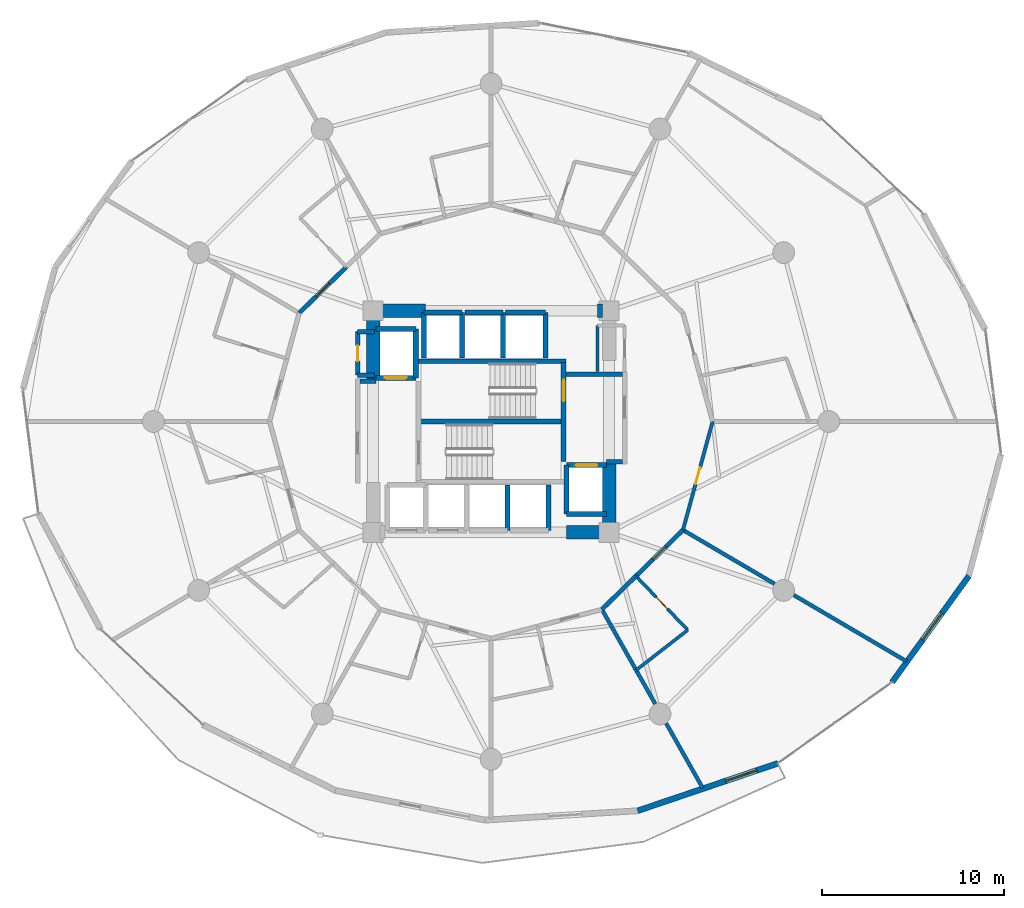
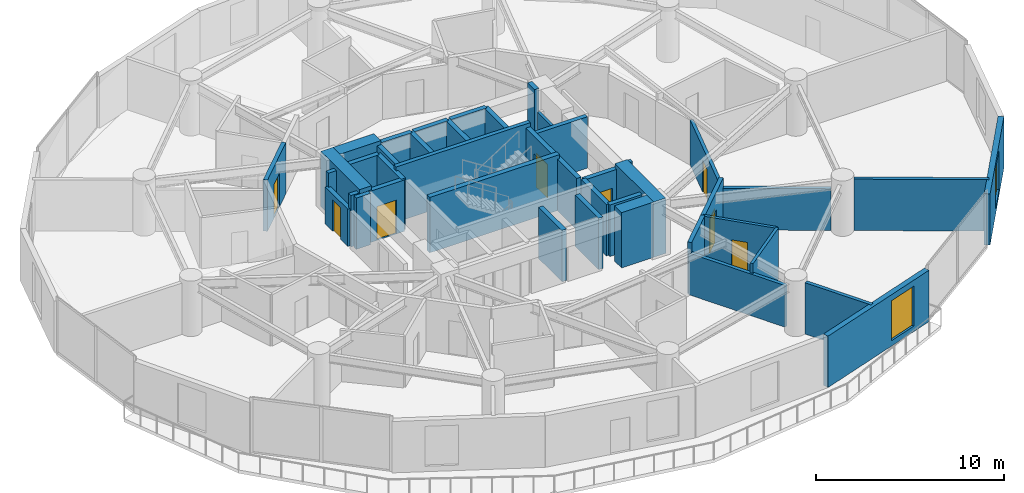
# One storey, part 21 of 26: 42 walls, 8 doors, 2 windows, 10 openings.
"""IFC4 building model written with IfcOpenShell, lengths in metres."""

from ifc_helpers import new_model, si_unit, direction, frame, frame_2d, origin, place, context, subcontext, project, spatial, rectangle, extrude, material, layer, layer_set, type_object, element, fill, save


model = new_model("IFC4")

# Units and contexts
model_context = context("Model", 3, precision=1e-05, world=origin(), true_north=direction((0.0, 1.0)))
body_context = subcontext(model_context, "Body", "Model", "MODEL_VIEW")
ifc_project = project(units=[si_unit("LENGTHUNIT", "METRE"), si_unit("AREAUNIT", "SQUARE_METRE"), si_unit("VOLUMEUNIT", "CUBIC_METRE"), si_unit("PLANEANGLEUNIT", "RADIAN"), si_unit("MASSUNIT", "GRAM", prefix="KILO")], contexts=[model_context])

# Site, building, storey
site_placement = place(None, origin())
site = spatial("IfcSite", under=ifc_project, at=site_placement, CompositionType="ELEMENT")
building_placement = place(site_placement, origin())
building = spatial("IfcBuilding", under=site, at=building_placement, Name="Solvirekh Grand Hotel", CompositionType="ELEMENT")
storey_placement = place(building_placement, frame((0.0, 0.0, 32.0)))
storey = spatial("IfcBuildingStorey", under=building, at=storey_placement, Name="L06", CompositionType="ELEMENT", Elevation=32.0)

# Walls
ifc_material_1 = material(Name="Concrete C50/60", Category="concrete")
ifc_layer_1 = layer(ifc_material_1, 0.35009765625)
ifc_layer_set_1 = layer_set([ifc_layer_1], Name="Concrete C50/60")
wall_type_1 = type_object("IfcWallType", Name="CoreDivWall_RC350", PredefinedType="SOLIDWALL", material=ifc_layer_set_1)
wall_1_placement = place(storey_placement, frame((-4.1298828125, 3.324951171875, 0.0), z_axis=(0.0, 0.0, 1.0), x_axis=(1.0, 0.0, 0.0)))
element("IfcWall", 1, at=wall_1_placement, inside=storey, type_object=wall_type_1, Name="L06 core stair box wall ST-N", PredefinedType="SOLIDWALL", context=body_context, shape_type="SweptSolid", body=[
    extrude(rectangle(XDim=8.259765625, YDim=0.25, at=frame_2d((4.1298828125, 0.0))), origin(), (0.0, 0.0, 1.0), 3.60009765625),
])
ifc_material_2 = material(Name="Concrete C40/50", Category="concrete")
ifc_layer_2 = layer(ifc_material_2, 0.280029296875)
ifc_layer_set_2 = layer_set([ifc_layer_2], Name="Concrete C40/50")
wall_type_2 = type_object("IfcWallType", Name="CoreShaftWall_RC280", PredefinedType="SOLIDWALL", material=ifc_layer_set_2)
for number, where, z_axis, x_axis, name in (
    (2, (0.89990234375, -6.0, 0.0), (0.0, 0.0, 1.0), (0.0, 1.0, 0.0), "L06 MP-1 hoistway E wall"),
    (3, (3.14990234375, -6.0, 0.0), (0.0, 0.0, 1.0), (0.0, 1.0, 0.0), "L06 MP-2 hoistway E wall"),
):
    element("IfcWall", number, at=place(storey_placement, frame(where, z_axis=z_axis, x_axis=x_axis)), inside=storey, type_object=wall_type_2, Name=name, PredefinedType="SOLIDWALL", context=body_context, shape_type="SweptSolid", body=[
        extrude(rectangle(XDim=2.5, YDim=0.280029296875, at=frame_2d((1.25, 0.0))), origin(), (0.0, 0.0, 1.0), 3.340087890625),
    ])
wall_2_placement = place(storey_placement, frame((-1.60009765625, 6.0, 0.0), z_axis=(0.0, 0.0, 1.0), x_axis=(-1.0, 0.0, 0.0)))
element("IfcWall", 4, at=wall_2_placement, inside=storey, type_object=wall_type_2, Name="L06 HP-1 hoistway N wall", PredefinedType="SOLIDWALL", context=body_context, shape_type="SweptSolid", body=[
    extrude(rectangle(XDim=2.099853515625, YDim=0.280029296875, at=frame_2d((1.0498046875, 0.0))), origin(), (0.0, 0.0, 1.0), 3.340087890625),
])
for number, where, z_axis, x_axis, name in (
    (5, (-3.699951171875, 6.0, 0.0), (0.0, 0.0, 1.0), (0.0, -1.0, 0.0), "L06 HP-1 hoistway W wall"),
    (6, (-1.60009765625, 3.5, 0.0), (0.0, 0.0, 1.0), (0.0, 1.0, 0.0), "L06 HP-1 hoistway E wall"),
):
    element("IfcWall", number, at=place(storey_placement, frame(where, z_axis=z_axis, x_axis=x_axis)), inside=storey, type_object=wall_type_2, Name=name, PredefinedType="SOLIDWALL", context=body_context, shape_type="SweptSolid", body=[
        extrude(rectangle(XDim=2.5, YDim=0.280029296875, at=frame_2d((1.25, 0.0))), origin(), (0.0, 0.0, 1.0), 3.340087890625),
    ])
wall_3_placement = place(storey_placement, frame((0.64990234375, 6.0, 0.0), z_axis=(0.0, 0.0, 1.0), x_axis=(-1.0, 0.0, 0.0)))
element("IfcWall", 7, at=wall_3_placement, inside=storey, type_object=wall_type_2, Name="L06 HP-2 hoistway N wall", PredefinedType="SOLIDWALL", context=body_context, shape_type="SweptSolid", body=[
    extrude(rectangle(XDim=2.099853515625, YDim=0.280029296875, at=frame_2d((1.0498046875, 0.0))), origin(), (0.0, 0.0, 1.0), 3.340087890625),
])
wall_4_placement = place(storey_placement, frame((0.64990234375, 3.5, 0.0), z_axis=(0.0, 0.0, 1.0), x_axis=(0.0, 1.0, 0.0)))
element("IfcWall", 8, at=wall_4_placement, inside=storey, type_object=wall_type_2, Name="L06 HP-2 hoistway E wall", PredefinedType="SOLIDWALL", context=body_context, shape_type="SweptSolid", body=[
    extrude(rectangle(XDim=2.5, YDim=0.280029296875, at=frame_2d((1.25, 0.0))), origin(), (0.0, 0.0, 1.0), 3.340087890625),
])
wall_5_placement = place(storey_placement, frame((3.0, 6.0, 0.0), z_axis=(0.0, 0.0, 1.0), x_axis=(-1.0, 0.0, 0.0)))
element("IfcWall", 9, at=wall_5_placement, inside=storey, type_object=wall_type_2, Name="L06 EX-1 hoistway N wall", PredefinedType="SOLIDWALL", context=body_context, shape_type="SweptSolid", body=[
    extrude(rectangle(XDim=2.199951171875, YDim=0.280029296875, at=frame_2d((1.10009765625, 0.0))), origin(), (0.0, 0.0, 1.0), 3.340087890625),
])
wall_6_placement = place(storey_placement, frame((3.0, 3.5, 0.0), z_axis=(0.0, 0.0, 1.0), x_axis=(0.0, 1.0, 0.0)))
element("IfcWall", 10, at=wall_6_placement, inside=storey, type_object=wall_type_2, Name="L06 EX-1 hoistway E wall", PredefinedType="SOLIDWALL", context=body_context, shape_type="SweptSolid", body=[
    extrude(rectangle(XDim=2.5, YDim=0.280029296875, at=frame_2d((1.25, 0.0))), origin(), (0.0, 0.0, 1.0), 3.340087890625),
])

# Wall, opening, door
wall_7_placement = place(storey_placement, frame((-6.35009765625, 2.39990234375, 0.0), z_axis=(0.0, 0.0, 1.0), x_axis=(1.0, 0.0, 0.0)))
wall_7 = element("IfcWall", 11, at=wall_7_placement, inside=storey, type_object=wall_type_2, Name="L06 FL-1 hoistway S wall", PredefinedType="SOLIDWALL", context=body_context, shape_type="SweptSolid", body=[
    extrude(rectangle(XDim=2.2001953125, YDim=0.280029296875, at=frame_2d((1.10009765625, 0.0))), origin(), (0.0, 0.0, 1.0), 3.340087890625),
])
opening_1_placement = place(wall_7_placement, frame((0.5, 0.0, 0.0)))
opening_1 = element("IfcOpeningElement", 12, at=opening_1_placement, cuts=wall_7, Name="Opening LD02", PredefinedType="OPENING", context=body_context, shape_type="SweptSolid", body=[
    extrude(rectangle(XDim=1.199951171875, YDim=2.199951171875, at=frame_2d((0.60009765625, 1.10009765625))), frame((0.0, 0.14990234375, 0.0), z_axis=(0.0, -1.0, 0.0), x_axis=(1.0, 0.0, 0.0)), (0.0, 0.0, 1.0), 0.300048828125),
])
ifc_material_3 = material(Name="Fire-Rated Steel Door Assembly", Category="steel")
door_type_1 = type_object("IfcDoorType", Name="Door_LiftFF_1200X2200", OperationType="SLIDING_TO_LEFT", PredefinedType="DOOR", material=ifc_material_3)
door_1_placement = place(opening_1_placement, origin())
door_1 = element("IfcDoor", 13, at=door_1_placement, inside=storey, type_object=door_type_1, Name="L06 FL-1 sliding lift landing door", OperationType="SLIDING_TO_LEFT", OverallHeight=2.199951171875, OverallWidth=1.199951171875, PredefinedType="DOOR", context=body_context, shape_type="SweptSolid", body=[
    extrude(rectangle(XDim=1.199951171875, YDim=2.199951171875, at=frame_2d((0.60009765625, 1.10009765625))), frame((0.0, 0.02490234375, 0.0), z_axis=(0.0, -1.0, 0.0), x_axis=(1.0, 0.0, 0.0)), (0.0, 0.0, 1.0), 0.050048828125),
])
fill(opening_1, door_1)

# Walls
wall_8_placement = place(storey_placement, frame((-4.14990234375, 5.10009765625, 0.0), z_axis=(0.0, 0.0, 1.0), x_axis=(-1.0, 0.0, 0.0)))
element("IfcWall", 14, at=wall_8_placement, inside=storey, type_object=wall_type_2, Name="L06 FL-1 hoistway N wall", PredefinedType="SOLIDWALL", context=body_context, shape_type="SweptSolid", body=[
    extrude(rectangle(XDim=2.2001953125, YDim=0.280029296875, at=frame_2d((1.10009765625, 0.0))), origin(), (0.0, 0.0, 1.0), 3.340087890625),
])
wall_9_placement = place(storey_placement, frame((-4.14990234375, 2.39990234375, 0.0), z_axis=(0.0, 0.0, 1.0), x_axis=(0.0, 1.0, 0.0)))
element("IfcWall", 15, at=wall_9_placement, inside=storey, type_object=wall_type_2, Name="L06 FL-1 hoistway E wall", PredefinedType="SOLIDWALL", context=body_context, shape_type="SweptSolid", body=[
    extrude(rectangle(XDim=2.7001953125, YDim=0.280029296875, at=frame_2d((1.35009765625, 0.0))), origin(), (0.0, 0.0, 1.0), 3.340087890625),
])
wall_10_placement = place(storey_placement, frame((4.14990234375, -5.10009765625, 0.0), z_axis=(0.0, 0.0, 1.0), x_axis=(1.0, 0.0, 0.0)))
element("IfcWall", 16, at=wall_10_placement, inside=storey, type_object=wall_type_2, Name="L06 FL-2 hoistway S wall", PredefinedType="SOLIDWALL", context=body_context, shape_type="SweptSolid", body=[
    extrude(rectangle(XDim=2.2001953125, YDim=0.280029296875, at=frame_2d((1.10009765625, 0.0))), origin(), (0.0, 0.0, 1.0), 3.340087890625),
])

# Wall, opening, door
wall_11_placement = place(storey_placement, frame((6.35009765625, -2.39990234375, 0.0), z_axis=(0.0, 0.0, 1.0), x_axis=(-1.0, 0.0, 0.0)))
wall_11 = element("IfcWall", 17, at=wall_11_placement, inside=storey, type_object=wall_type_2, Name="L06 FL-2 hoistway N wall", PredefinedType="SOLIDWALL", context=body_context, shape_type="SweptSolid", body=[
    extrude(rectangle(XDim=2.2001953125, YDim=0.280029296875, at=frame_2d((1.10009765625, 0.0))), origin(), (0.0, 0.0, 1.0), 3.340087890625),
])
opening_2_placement = place(wall_11_placement, frame((0.5, 0.0, 0.0)))
opening_2 = element("IfcOpeningElement", 18, at=opening_2_placement, cuts=wall_11, Name="Opening LD02", PredefinedType="OPENING", context=body_context, shape_type="SweptSolid", body=[
    extrude(rectangle(XDim=1.199951171875, YDim=2.199951171875, at=frame_2d((0.60009765625, 1.10009765625))), frame((0.0, 0.14990234375, 0.0), z_axis=(0.0, -1.0, 0.0), x_axis=(1.0, 0.0, 0.0)), (0.0, 0.0, 1.0), 0.300048828125),
])
door_2_placement = place(opening_2_placement, origin())
door_2 = element("IfcDoor", 19, at=door_2_placement, inside=storey, type_object=door_type_1, Name="L06 FL-2 sliding lift landing door", OperationType="SLIDING_TO_LEFT", OverallHeight=2.199951171875, OverallWidth=1.199951171875, PredefinedType="DOOR", context=body_context, shape_type="SweptSolid", body=[
    extrude(rectangle(XDim=1.199951171875, YDim=2.199951171875, at=frame_2d((0.60009765625, 1.10009765625))), frame((0.0, 0.02490234375, 0.0), z_axis=(0.0, -1.0, 0.0), x_axis=(1.0, 0.0, 0.0)), (0.0, 0.0, 1.0), 0.050048828125),
])
fill(opening_2, door_2)

# Wall
wall_12_placement = place(storey_placement, frame((4.14990234375, -2.39990234375, 0.0), z_axis=(0.0, 0.0, 1.0), x_axis=(0.0, -1.0, 0.0)))
element("IfcWall", 20, at=wall_12_placement, inside=storey, type_object=wall_type_2, Name="L06 FL-2 hoistway W wall", PredefinedType="SOLIDWALL", context=body_context, shape_type="SweptSolid", body=[
    extrude(rectangle(XDim=2.7001953125, YDim=0.280029296875, at=frame_2d((1.35009765625, 0.0))), origin(), (0.0, 0.0, 1.0), 3.340087890625),
])

# Wall, opening, door
wall_13_placement = place(storey_placement, frame((3.989990234375, -2.2099609375, 0.0), z_axis=(0.0, 0.0, 1.0), x_axis=(0.0, 1.0, 0.0)))
wall_13 = element("IfcWall", 21, at=wall_13_placement, inside=storey, type_object=wall_type_2, Name="L06 east stair landing enclosure wall", PredefinedType="SOLIDWALL", context=body_context, shape_type="SweptSolid", body=[
    extrude(rectangle(XDim=5.4599609375, YDim=0.280029296875, at=frame_2d((2.72998046875, 0.0))), origin(), (0.0, 0.0, 1.0), 3.340087890625),
])
opening_3_placement = place(wall_13_placement, frame((3.322998046875, 0.0, 0.0)))
opening_3 = element("IfcOpeningElement", 22, at=opening_3_placement, cuts=wall_13, Name="Opening D05", PredefinedType="OPENING", context=body_context, shape_type="SweptSolid", body=[
    extrude(rectangle(XDim=1.199951171875, YDim=2.199951171875, at=frame_2d((0.60009765625, 1.10009765625))), frame((0.0, 0.14990234375, 0.0), z_axis=(0.0, -1.0, 0.0), x_axis=(1.0, 0.0, 0.0)), (0.0, 0.0, 1.0), 0.300048828125),
])
door_type_2 = type_object("IfcDoorType", Name="Door_StairCore_1200X2200", OperationType="NOTDEFINED", PredefinedType="DOOR", material=ifc_material_3)
door_3_placement = place(opening_3_placement, origin())
door_3 = element("IfcDoor", 23, at=door_3_placement, inside=storey, type_object=door_type_2, Name="L06 exit stair ST-2 fire door", OperationType="SINGLE_SWING_RIGHT", OverallHeight=2.199951171875, OverallWidth=1.199951171875, PredefinedType="DOOR", context=body_context, shape_type="SweptSolid", body=[
    extrude(rectangle(XDim=1.199951171875, YDim=2.199951171875, at=frame_2d((0.60009765625, 1.10009765625))), frame((0.0, 0.02490234375, 0.0), z_axis=(0.0, -1.0, 0.0), x_axis=(1.0, 0.0, 0.0)), (0.0, 0.0, 1.0), 0.050048828125),
])
fill(opening_3, door_3)

# Walls
ifc_material_4 = material(Name="Concrete C60/75", Category="concrete")
ifc_layer_3 = layer(ifc_material_4, 0.75)
ifc_layer_set_3 = layer_set([ifc_layer_3], Name="Concrete C60/75")
wall_type_3 = type_object("IfcWallType", Name="CoreWall_RC750", PredefinedType="SHEAR", material=ifc_layer_set_3)
wall_14_placement = place(storey_placement, frame((-3.989990234375, 0.0, 0.0), z_axis=(0.0, 0.0, 1.0), x_axis=(1.0, 0.0, 0.0)))
element("IfcWall", 24, at=wall_14_placement, inside=storey, type_object=wall_type_3, Name="L06 central stair-spine shear wall", PredefinedType="SHEAR", context=body_context, shape_type="SweptSolid", body=[
    extrude(rectangle(XDim=7.97998046875, YDim=0.300048828125, at=frame_2d((3.989990234375, 0.0))), origin(), (0.0, 0.0, 1.0), 3.60009765625),
])
wall_15_placement = place(storey_placement, frame((4.14990234375, -6.10009765625, 0.0), z_axis=(0.0, 0.0, 1.0), x_axis=(1.0, 0.0, 0.0)))
element("IfcWall", 25, at=wall_15_placement, inside=storey, type_object=wall_type_3, Name="L06 core corner shear wall SE-S", PredefinedType="SHEAR", context=body_context, shape_type="SweptSolid", body=[
    extrude(rectangle(XDim=1.97509765625, YDim=0.75, at=frame_2d((0.987548828125, 0.0))), origin(), (0.0, 0.0, 1.0), 3.60009765625),
])
wall_16_placement = place(storey_placement, frame((-6.125, 6.10009765625, 0.0), z_axis=(0.0, 0.0, 1.0), x_axis=(1.0, 0.0, 0.0)))
element("IfcWall", 26, at=wall_16_placement, inside=storey, type_object=wall_type_3, Name="L06 core corner shear wall NW-N", PredefinedType="SHEAR", context=body_context, shape_type="SweptSolid", body=[
    extrude(rectangle(XDim=2.52490234375, YDim=0.75, at=frame_2d((1.262451171875, 0.0))), origin(), (0.0, 0.0, 1.0), 3.60009765625),
])
wall_17_placement = place(storey_placement, frame((5.85009765625, 6.10009765625, 0.0), z_axis=(0.0, 0.0, 1.0), x_axis=(1.0, 0.0, 0.0)))
element("IfcWall", 27, at=wall_17_placement, inside=storey, type_object=wall_type_3, Name="L06 core corner shear wall NE-N", PredefinedType="SHEAR", context=body_context, shape_type="SweptSolid", body=[
    extrude(rectangle(XDim=0.27490234375, YDim=0.75, at=frame_2d((0.137451171875, 0.0))), origin(), (0.0, 0.0, 1.0), 3.60009765625),
])
for number, where, z_axis, x_axis, name in (
    (28, (-6.5, 2.35009765625, 0.0), (0.0, 0.0, 1.0), (0.0, 1.0, 0.0), "L06 core corner shear wall WN-W"),
    (29, (6.5, -6.47509765625, 0.0), (0.0, 0.0, 1.0), (0.0, 1.0, 0.0), "L06 core corner shear wall ES-E"),
):
    element("IfcWall", number, at=place(storey_placement, frame(where, z_axis=z_axis, x_axis=x_axis)), inside=storey, type_object=wall_type_3, Name=name, PredefinedType="SHEAR", context=body_context, shape_type="SweptSolid", body=[
        extrude(rectangle(XDim=4.125, YDim=0.75, at=frame_2d((2.0625, 0.0))), origin(), (0.0, 0.0, 1.0), 3.60009765625),
    ])

# Wall, opening, window
ifc_material_5 = material(Name="Precast concrete C45/55", Category="concrete")
ifc_layer_4 = layer(ifc_material_5, 0.320068359375)
ifc_layer_set_4 = layer_set([ifc_layer_4], Name="Precast concrete C45/55")
wall_type_4 = type_object("IfcWallType", Name="ExtLobbyWall_RC320", PredefinedType="SOLIDWALL", material=ifc_layer_set_4)
wall_18_placement = place(storey_placement, frame((15.79296875, -18.821044921875, 0.0), z_axis=(0.0, 0.0, 1.0), x_axis=(-0.94717495877, -0.320717317085, 0.0)))
wall_18 = element("IfcWall", 30, at=wall_18_placement, inside=storey, type_object=wall_type_4, Name="L06 exterior structural wall chord 17", PredefinedType="SOLIDWALL", context=body_context, shape_type="SweptSolid", body=[
    extrude(rectangle(XDim=8.150634765625, YDim=0.320068359375, at=frame_2d((4.0751953125, 0.0))), origin(), (0.0, 0.0, 1.0), 3.340087890625),
])
opening_4_placement = place(wall_18_placement, frame((1.22900390625, 0.0, 0.35009765625)))
opening_4 = element("IfcOpeningElement", 31, at=opening_4_placement, cuts=wall_18, Name="Opening W02", PredefinedType="OPENING", context=body_context, shape_type="SweptSolid", body=[
    extrude(rectangle(XDim=1.800048828125, YDim=2.60009765625, at=frame_2d((0.89990234375, 1.300048828125))), frame((0.0, 0.169921875, 0.0), z_axis=(0.0, -1.0, 0.0), x_axis=(1.0, 0.0, 0.0)), (0.0, 0.0, 1.0), 0.340087890625),
])
ifc_material_6 = material(Name="Low-E Tinted Bronze Laminated Glass", Category="aluminium")
window_type = type_object("IfcWindowType", Name="Win_LobbyExt_1800X2600", PartitioningType="SINGLE_PANEL", PredefinedType="WINDOW", material=ifc_material_6)
window_1_placement = place(opening_4_placement, origin())
window_1 = element("IfcWindow", 32, at=window_1_placement, inside=storey, type_object=window_type, Name="L06 panoramic bronze-framed window 17", OverallHeight=2.60009765625, OverallWidth=1.800048828125, PartitioningType="SINGLE_PANEL", PredefinedType="WINDOW", context=body_context, shape_type="SweptSolid", body=[
    extrude(rectangle(XDim=1.800048828125, YDim=2.60009765625, at=frame_2d((0.89990234375, 1.300048828125))), frame((0.0, 0.030029296875, 0.0), z_axis=(0.0, -1.0, 0.0), x_axis=(1.0, 0.0, 0.0)), (0.0, 0.0, 1.0), 0.06005859375),
])
fill(opening_4, window_1)

wall_19_placement = place(storey_placement, frame((26.31591796875, -8.5029296875, 0.0), z_axis=(0.0, 0.0, 1.0), x_axis=(-0.585883584877, -0.810395227634, 0.0)))
wall_19 = element("IfcWall", 33, at=wall_19_placement, inside=storey, type_object=wall_type_4, Name="L06 exterior structural wall chord 19", PredefinedType="SOLIDWALL", context=body_context, shape_type="SweptSolid", body=[
    extrude(rectangle(XDim=7.233642578125, YDim=0.320068359375, at=frame_2d((3.61669921875, 0.0))), origin(), (0.0, 0.0, 1.0), 3.340087890625),
])
opening_5_placement = place(wall_19_placement, frame((2.544921875, 0.0, 0.35009765625)))
opening_5 = element("IfcOpeningElement", 34, at=opening_5_placement, cuts=wall_19, Name="Opening W02", PredefinedType="OPENING", context=body_context, shape_type="SweptSolid", body=[
    extrude(rectangle(XDim=1.800048828125, YDim=2.60009765625, at=frame_2d((0.89990234375, 1.300048828125))), frame((0.0, 0.169921875, 0.0), z_axis=(0.0, -1.0, 0.0), x_axis=(1.0, 0.0, 0.0)), (0.0, 0.0, 1.0), 0.340087890625),
])
window_2_placement = place(opening_5_placement, origin())
window_2 = element("IfcWindow", 35, at=window_2_placement, inside=storey, type_object=window_type, Name="L06 panoramic bronze-framed window 19", OverallHeight=2.60009765625, OverallWidth=1.800048828125, PartitioningType="SINGLE_PANEL", PredefinedType="WINDOW", context=body_context, shape_type="SweptSolid", body=[
    extrude(rectangle(XDim=1.800048828125, YDim=2.60009765625, at=frame_2d((0.89990234375, 1.300048828125))), frame((0.0, 0.030029296875, 0.0), z_axis=(0.0, -1.0, 0.0), x_axis=(1.0, 0.0, 0.0)), (0.0, 0.0, 1.0), 0.06005859375),
])
fill(opening_5, window_2)

# Wall
ifc_material_7 = material(Name="Acoustic Gypsum Partition Assembly")
ifc_layer_5 = layer(ifc_material_7, 0.1650390625)
ifc_layer_set_5 = layer_set([ifc_layer_5], Name="Acoustic Gypsum Partition Assembly")
wall_type_5 = type_object("IfcWallType", Name="Part_BOH_165", PredefinedType="PARTITIONING", material=ifc_layer_set_5)
wall_20_placement = place(storey_placement, frame((5.85009765625, 5.300048828125, 0.0), z_axis=(0.0, 0.0, 1.0), x_axis=(0.0, -1.0, 0.0)))
element("IfcWall", 36, at=wall_20_placement, inside=storey, type_object=wall_type_5, Name="L06 L06 Core Housekeeping & Linen Room wall 4", PredefinedType="PARTITIONING", context=body_context, shape_type="SweptSolid", body=[
    extrude(rectangle(XDim=2.550048828125, YDim=0.1650390625, at=frame_2d((1.27490234375, 0.0))), origin(), (0.0, 0.0, 1.0), 2.425048828125),
])

# Wall, opening, door
ifc_layer_6 = layer(ifc_material_7, 0.239990234375)
ifc_layer_set_6 = layer_set([ifc_layer_6], Name="Acoustic Gypsum Partition Assembly")
wall_type_6 = type_object("IfcWallType", Name="Part_Corridor_240", PredefinedType="PARTITIONING", material=ifc_layer_set_6)
wall_21_placement = place(storey_placement, frame((-7.97607421875, 8.511962890625, 0.0), z_axis=(0.0, 0.0, 1.0), x_axis=(-0.714375756875, -0.699762301064, 0.0)))
wall_21 = element("IfcWall", 37, at=wall_21_placement, inside=storey, type_object=wall_type_6, Name="L06 Deluxe Guestroom 0804 entrance wall", PredefinedType="PARTITIONING", context=body_context, shape_type="SweptSolid", body=[
    extrude(rectangle(XDim=3.625244140625, YDim=0.239990234375, at=frame_2d((1.8125, 0.0))), origin(), (0.0, 0.0, 1.0), 3.340087890625),
])
opening_6_placement = place(wall_21_placement, frame((1.31298828125, 0.0, 0.0)))
opening_6 = element("IfcOpeningElement", 38, at=opening_6_placement, cuts=wall_21, Name="Opening D07", PredefinedType="OPENING", context=body_context, shape_type="SweptSolid", body=[
    extrude(rectangle(XDim=1.0, YDim=2.199951171875, at=frame_2d((0.5, 1.10009765625))), frame((0.0, 0.1298828125, 0.0), z_axis=(0.0, -1.0, 0.0), x_axis=(1.0, 0.0, 0.0)), (0.0, 0.0, 1.0), 0.260009765625),
])
door_type_3 = type_object("IfcDoorType", Name="Door_GuestEntry_1000X2200", OperationType="NOTDEFINED", PredefinedType="DOOR", material=ifc_material_3)
door_4_placement = place(opening_6_placement, origin())
door_4 = element("IfcDoor", 39, at=door_4_placement, inside=storey, type_object=door_type_3, Name="L06 Deluxe Guestroom 0804 entrance door", OperationType="SINGLE_SWING_RIGHT", OverallHeight=2.199951171875, OverallWidth=1.0, PredefinedType="DOOR", context=body_context, shape_type="SweptSolid", body=[
    extrude(rectangle(XDim=1.0, YDim=2.199951171875, at=frame_2d((0.5, 1.10009765625))), frame((0.0, 0.02490234375, 0.0), z_axis=(0.0, -1.0, 0.0), x_axis=(1.0, 0.0, 0.0)), (0.0, 0.0, 1.0), 0.050048828125),
])
fill(opening_6, door_4)

# Wall
wall_22_placement = place(storey_placement, frame((6.10009765625, -10.34912109375, 0.0), z_axis=(0.0, 0.0, 1.0), x_axis=(0.714460071513, 0.69967621527, 0.0)))
element("IfcWall", 40, at=wall_22_placement, inside=storey, type_object=wall_type_6, Name="L06 En-suite Bathroom 0810 corridor backing wall", PredefinedType="PARTITIONING", context=body_context, shape_type="SweptSolid", body=[
    extrude(rectangle(XDim=2.625732421875, YDim=0.239990234375, at=frame_2d((1.31298828125, 0.0))), origin(), (0.0, 0.0, 1.0), 3.340087890625),
])

# Wall, opening, door
wall_23_placement = place(storey_placement, frame((7.97607421875, -8.511962890625, 0.0), z_axis=(0.0, 0.0, 1.0), x_axis=(0.714375756875, 0.699762301064, 0.0)))
wall_23 = element("IfcWall", 41, at=wall_23_placement, inside=storey, type_object=wall_type_6, Name="L06 Deluxe Guestroom 0810 entrance wall", PredefinedType="PARTITIONING", context=body_context, shape_type="SweptSolid", body=[
    extrude(rectangle(XDim=3.625244140625, YDim=0.239990234375, at=frame_2d((1.8125, 0.0))), origin(), (0.0, 0.0, 1.0), 3.340087890625),
])
opening_7_placement = place(wall_23_placement, frame((1.31298828125, 0.0, 0.0)))
opening_7 = element("IfcOpeningElement", 42, at=opening_7_placement, cuts=wall_23, Name="Opening D07", PredefinedType="OPENING", context=body_context, shape_type="SweptSolid", body=[
    extrude(rectangle(XDim=1.0, YDim=2.199951171875, at=frame_2d((0.5, 1.10009765625))), frame((0.0, 0.1298828125, 0.0), z_axis=(0.0, -1.0, 0.0), x_axis=(1.0, 0.0, 0.0)), (0.0, 0.0, 1.0), 0.260009765625),
])
door_5_placement = place(opening_7_placement, origin())
door_5 = element("IfcDoor", 43, at=door_5_placement, inside=storey, type_object=door_type_3, Name="L06 Deluxe Guestroom 0810 entrance door", OperationType="SINGLE_SWING_RIGHT", OverallHeight=2.199951171875, OverallWidth=1.0, PredefinedType="DOOR", context=body_context, shape_type="SweptSolid", body=[
    extrude(rectangle(XDim=1.0, YDim=2.199951171875, at=frame_2d((0.5, 1.10009765625))), frame((0.0, 0.02490234375, 0.0), z_axis=(0.0, -1.0, 0.0), x_axis=(1.0, 0.0, 0.0)), (0.0, 0.0, 1.0), 0.050048828125),
])
fill(opening_7, door_5)

ifc_layer_7 = layer(ifc_material_7, 0.18994140625)
ifc_layer_set_7 = layer_set([ifc_layer_7], Name="Acoustic Gypsum Partition Assembly")
wall_type_7 = type_object("IfcWallType", Name="Part_GuestDemise_190", PredefinedType="PARTITIONING", material=ifc_layer_set_7)
wall_24_placement = place(storey_placement, frame((10.56591796875, -5.97509765625, 0.0), z_axis=(0.0, 0.0, 1.0), x_axis=(0.263787657435, 0.964580775148, 0.0)))
wall_24 = element("IfcWall", 44, at=wall_24_placement, inside=storey, type_object=wall_type_7, Name="L06 L06 Club Reading Lounge entrance wall", PredefinedType="PARTITIONING", context=body_context, shape_type="SweptSolid", body=[
    extrude(rectangle(XDim=6.194580078125, YDim=0.18994140625, at=frame_2d((3.09716796875, 0.0))), origin(), (0.0, 0.0, 1.0), 2.9189453125),
])
opening_8_placement = place(wall_24_placement, frame((2.6220703125, 0.0, 0.0)))
opening_8 = element("IfcOpeningElement", 45, at=opening_8_placement, cuts=wall_24, Name="Opening D10", PredefinedType="OPENING", context=body_context, shape_type="SweptSolid", body=[
    extrude(rectangle(XDim=0.949951171875, YDim=2.10009765625, at=frame_2d((0.47509765625, 1.050048828125))), frame((0.0, 0.10498046875, 0.0), z_axis=(0.0, -1.0, 0.0), x_axis=(1.0, 0.0, 0.0)), (0.0, 0.0, 1.0), 0.2099609375),
])
ifc_material_8 = material(Name="Anodized Bronze Aluminium 6063-T6", Category="aluminium")
door_type_4 = type_object("IfcDoorType", Name="Door_RoomInt_950X2100", OperationType="NOTDEFINED", PredefinedType="DOOR", material=ifc_material_8)
door_6_placement = place(opening_8_placement, origin())
door_6 = element("IfcDoor", 46, at=door_6_placement, inside=storey, type_object=door_type_4, Name="L06 L06 Club Reading Lounge entrance door", OperationType="SINGLE_SWING_LEFT", OverallHeight=2.10009765625, OverallWidth=0.949951171875, PredefinedType="DOOR", context=body_context, shape_type="SweptSolid", body=[
    extrude(rectangle(XDim=0.949951171875, YDim=2.10009765625, at=frame_2d((0.47509765625, 1.050048828125))), frame((0.0, 0.02490234375, 0.0), z_axis=(0.0, -1.0, 0.0), x_axis=(1.0, 0.0, 0.0)), (0.0, 0.0, 1.0), 0.050048828125),
])
fill(opening_8, door_6)

# Walls
ifc_layer_8 = layer(ifc_material_7, 0.260009765625)
ifc_layer_set_8 = layer_set([ifc_layer_8], Name="Acoustic Gypsum Partition Assembly")
wall_type_8 = type_object("IfcWallType", Name="Part_LobbyFF_260", PredefinedType="PARTITIONING", material=ifc_layer_set_8)
for number, where, z_axis, x_axis, name in (
    (47, (-7.22509765625, 2.2099609375, 0.0), (0.0, 0.0, 1.0), (1.0, 0.0, 0.0), "L06 west firefighting lobby NW cheek"),
    (48, (6.35009765625, -2.2099609375, 0.0), (0.0, 0.0, 1.0), (1.0, 0.0, 0.0), "L06 east firefighting lobby SE cheek"),
):
    element("IfcWall", number, at=place(storey_placement, frame(where, z_axis=z_axis, x_axis=x_axis)), inside=storey, type_object=wall_type_8, Name=name, PredefinedType="PARTITIONING", context=body_context, shape_type="SweptSolid", body=[
        extrude(rectangle(XDim=0.875, YDim=0.260009765625, at=frame_2d((0.4375, 0.0))), origin(), (0.0, 0.0, 1.0), 3.340087890625),
    ])
wall_25_placement = place(storey_placement, frame((4.1298828125, 2.60009765625, 0.0), z_axis=(0.0, 0.0, 1.0), x_axis=(1.0, 0.0, 0.0)))
element("IfcWall", 49, at=wall_25_placement, inside=storey, type_object=wall_type_8, Name="L06 east firefighting lobby north partition", PredefinedType="PARTITIONING", context=body_context, shape_type="SweptSolid", body=[
    extrude(rectangle(XDim=3.09521484375, YDim=0.260009765625, at=frame_2d((1.547607421875, 0.0))), origin(), (0.0, 0.0, 1.0), 3.340087890625),
])
for number, where, z_axis, x_axis, name in (
    (50, (-7.35009765625, 4.949951171875, 0.0), (0.0, 0.0, 1.0), (1.0, 0.0, 0.0), "L06 NW telecom metering cupboard north wall"),
    (51, (-7.35009765625, 2.550048828125, 0.0), (0.0, 0.0, 1.0), (1.0, 0.0, 0.0), "L06 NW telecom metering cupboard south wall"),
):
    element("IfcWall", number, at=place(storey_placement, frame(where, z_axis=z_axis, x_axis=x_axis)), inside=storey, type_object=wall_type_8, Name=name, PredefinedType="PARTITIONING", context=body_context, shape_type="SweptSolid", body=[
        extrude(rectangle(XDim=0.93017578125, YDim=0.260009765625, at=frame_2d((0.465087890625, 0.0))), origin(), (0.0, 0.0, 1.0), 3.340087890625),
    ])

# Wall, opening, door
wall_26_placement = place(storey_placement, frame((-7.35009765625, 2.550048828125, 0.0), z_axis=(0.0, 0.0, 1.0), x_axis=(0.0, 1.0, 0.0)))
wall_26 = element("IfcWall", 52, at=wall_26_placement, inside=storey, type_object=wall_type_8, Name="L06 NW telecom metering cupboard access wall", PredefinedType="PARTITIONING", context=body_context, shape_type="SweptSolid", body=[
    extrude(rectangle(XDim=2.39990234375, YDim=0.260009765625, at=frame_2d((1.199951171875, 0.0))), origin(), (0.0, 0.0, 1.0), 2.425048828125),
])
opening_9_placement = place(wall_26_placement, frame((0.77490234375, 0.0, 0.0)))
opening_9 = element("IfcOpeningElement", 53, at=opening_9_placement, cuts=wall_26, Name="Opening D13", PredefinedType="OPENING", context=body_context, shape_type="SweptSolid", body=[
    extrude(rectangle(XDim=0.85009765625, YDim=2.050048828125, at=frame_2d((0.425048828125, 1.02490234375))), frame((0.0, 0.14013671875, 0.0), z_axis=(0.0, -1.0, 0.0), x_axis=(1.0, 0.0, 0.0)), (0.0, 0.0, 1.0), 0.280029296875),
])
door_type_5 = type_object("IfcDoorType", Name="Door_RiserShaft_850X2050", OperationType="NOTDEFINED", PredefinedType="DOOR", material=ifc_material_3)
door_7_placement = place(opening_9_placement, origin())
door_7 = element("IfcDoor", 54, at=door_7_placement, inside=storey, type_object=door_type_5, Name="L06 telecom metering cupboard access door", OperationType="SINGLE_SWING_LEFT", OverallHeight=2.050048828125, OverallWidth=0.85009765625, PredefinedType="DOOR", context=body_context, shape_type="SweptSolid", body=[
    extrude(rectangle(XDim=0.85009765625, YDim=2.050048828125, at=frame_2d((0.425048828125, 1.02490234375))), frame((0.0, 0.02490234375, 0.0), z_axis=(0.0, -1.0, 0.0), x_axis=(1.0, 0.0, 0.0)), (0.0, 0.0, 1.0), 0.050048828125),
])
fill(opening_9, door_7)

# Walls
ifc_layer_9 = layer(ifc_material_7, 0.2099609375)
ifc_layer_set_9 = layer_set([ifc_layer_9], Name="Acoustic Gypsum Partition Assembly")
wall_type_9 = type_object("IfcWallType", Name="Part_SuiteDemise_210", PredefinedType="PARTITIONING", material=ifc_layer_set_9)
wall_27_placement = place(storey_placement, frame((6.10009765625, -10.34912109375, 0.0), z_axis=(0.0, 0.0, 1.0), x_axis=(0.491652896219, -0.870791266401, 0.0)))
element("IfcWall", 55, at=wall_27_placement, inside=storey, type_object=wall_type_9, Name="L06 suite radial wall 11 (A)", PredefinedType="PARTITIONING", context=body_context, shape_type="SweptSolid", body=[
    extrude(rectangle(XDim=5.96923828125, YDim=0.2099609375, at=frame_2d((2.984619140625, 0.0))), origin(), (0.0, 0.0, 1.0), 2.708984375),
])
wall_28_placement = place(storey_placement, frame((9.64306640625, -16.6240234375, 0.0), z_axis=(0.0, 0.0, 1.0), x_axis=(0.491698874435, -0.87076530528, 0.0)))
element("IfcWall", 56, at=wall_28_placement, inside=storey, type_object=wall_type_9, Name="L06 suite radial wall 11 (B)", PredefinedType="PARTITIONING", context=body_context, shape_type="SweptSolid", body=[
    extrude(rectangle(XDim=4.0859375, YDim=0.2099609375, at=frame_2d((2.04296875, 0.0))), origin(), (0.0, 0.0, 1.0), 3.340087890625),
])
wall_29_placement = place(storey_placement, frame((10.56591796875, -5.97509765625, 0.0), z_axis=(0.0, 0.0, 1.0), x_axis=(0.862217531027, -0.506538181374, 0.0)))
element("IfcWall", 57, at=wall_29_placement, inside=storey, type_object=wall_type_9, Name="L06 suite radial wall 12 (A)", PredefinedType="PARTITIONING", context=body_context, shape_type="SweptSolid", body=[
    extrude(rectangle(XDim=5.845458984375, YDim=0.2099609375, at=frame_2d((2.9228515625, 0.0))), origin(), (0.0, 0.0, 1.0), 2.708984375),
])
wall_30_placement = place(storey_placement, frame((16.669921875, -9.56103515625, 0.0), z_axis=(0.0, 0.0, 1.0), x_axis=(0.862214298177, -0.506543684215, 0.0)))
element("IfcWall", 58, at=wall_30_placement, inside=storey, type_object=wall_type_9, Name="L06 suite radial wall 12 (B)", PredefinedType="PARTITIONING", context=body_context, shape_type="SweptSolid", body=[
    extrude(rectangle(XDim=7.189697265625, YDim=0.2099609375, at=frame_2d((3.5947265625, 0.0))), origin(), (0.0, 0.0, 1.0), 3.340087890625),
])
ifc_layer_10 = layer(ifc_material_7, 0.175048828125)
ifc_layer_set_10 = layer_set([ifc_layer_10], Name="Acoustic Gypsum Partition Assembly")
wall_type_10 = type_object("IfcWallType", Name="Plumb_Ensuite_175", PredefinedType="PLUMBINGWALL", material=ifc_layer_set_10)
wall_31_placement = place(storey_placement, frame((7.988037109375, -13.69189453125, 0.0), z_axis=(0.0, 0.0, 1.0), x_axis=(0.78932298539, 0.613978195651, 0.0)))
element("IfcWall", 59, at=wall_31_placement, inside=storey, type_object=wall_type_10, Name="L06 En-suite Bathroom 0810 outer plumbing wall", PredefinedType="PLUMBINGWALL", context=body_context, shape_type="SweptSolid", body=[
    extrude(rectangle(XDim=3.597900390625, YDim=0.175048828125, at=frame_2d((1.798828125, 0.0))), origin(), (0.0, 0.0, 1.0), 3.340087890625),
])

# Wall, opening, door
wall_32_placement = place(storey_placement, frame((7.97607421875, -8.511962890625, 0.0), z_axis=(0.0, 0.0, 1.0), x_axis=(0.692493571669, -0.721424045342, 0.0)))
wall_32 = element("IfcWall", 60, at=wall_32_placement, inside=storey, type_object=wall_type_10, Name="L06 En-suite Bathroom 0810 entry plumbing wall", PredefinedType="PLUMBINGWALL", context=body_context, shape_type="SweptSolid", body=[
    extrude(rectangle(XDim=4.1181640625, YDim=0.175048828125, at=frame_2d((2.05908203125, 0.0))), origin(), (0.0, 0.0, 1.0), 3.340087890625),
])
opening_10_placement = place(wall_32_placement, frame((1.60888671875, 0.0, 0.0)))
opening_10 = element("IfcOpeningElement", 61, at=opening_10_placement, cuts=wall_32, Name="Opening D09", PredefinedType="OPENING", context=body_context, shape_type="SweptSolid", body=[
    extrude(rectangle(XDim=0.89990234375, YDim=2.10009765625, at=frame_2d((0.449951171875, 1.050048828125))), frame((0.0, 0.09765625, 0.0), z_axis=(0.0, -1.0, 0.0), x_axis=(1.0, 0.0, 0.0)), (0.0, 0.0, 1.0), 0.195068359375),
])
door_type_6 = type_object("IfcDoorType", Name="Door_Ensuite_900X2100", OperationType="NOTDEFINED", PredefinedType="DOOR", material=ifc_material_8)
door_8_placement = place(opening_10_placement, origin())
door_8 = element("IfcDoor", 62, at=door_8_placement, inside=storey, type_object=door_type_6, Name="L06 En-suite Bathroom 0810 door", OperationType="SINGLE_SWING_LEFT", OverallHeight=2.10009765625, OverallWidth=0.89990234375, PredefinedType="DOOR", context=body_context, shape_type="SweptSolid", body=[
    extrude(rectangle(XDim=0.89990234375, YDim=2.10009765625, at=frame_2d((0.449951171875, 1.050048828125))), frame((0.0, 0.02490234375, 0.0), z_axis=(0.0, -1.0, 0.0), x_axis=(1.0, 0.0, 0.0)), (0.0, 0.0, 1.0), 0.050048828125),
])
fill(opening_10, door_8)

save(model, "model.ifc")
